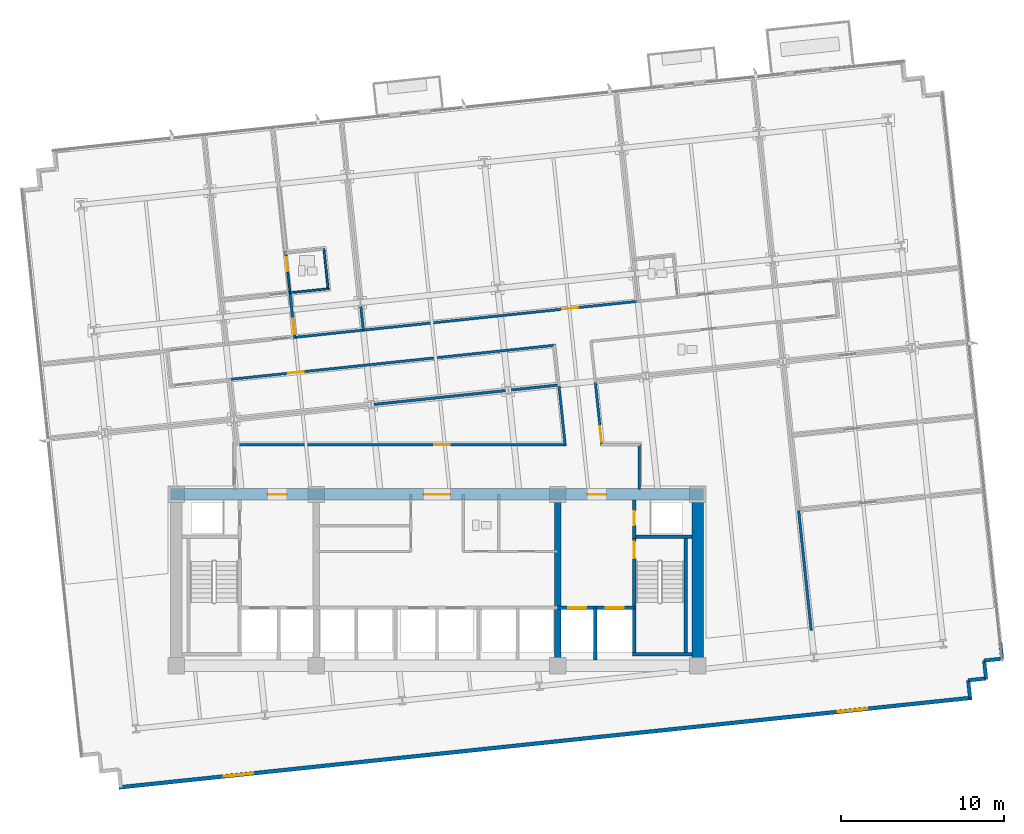
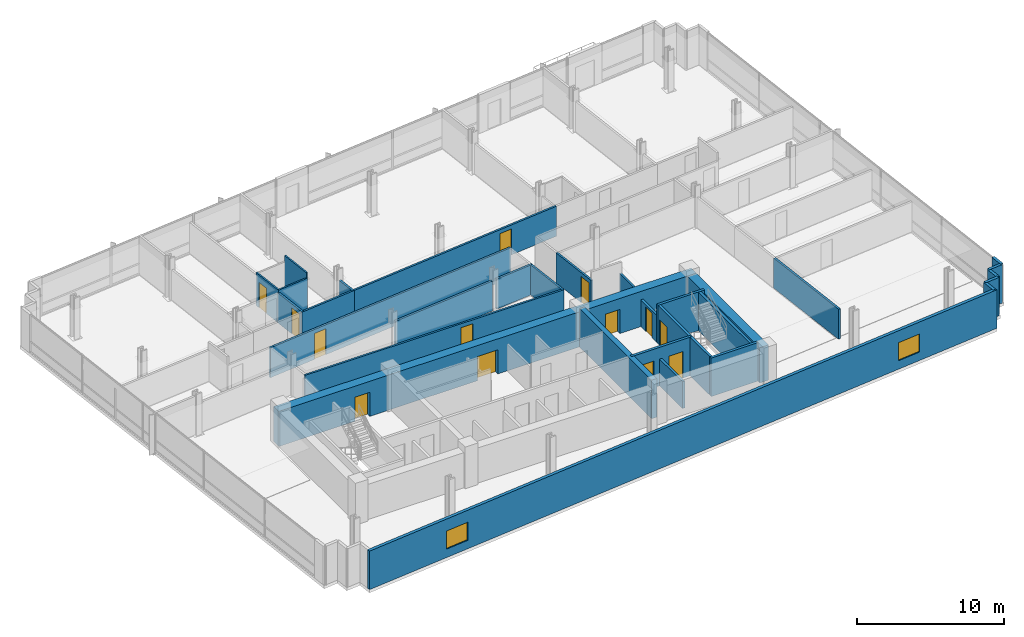
# One storey, part 14 of 21: 31 walls, 13 doors, 2 windows, 15 openings.
"""IFC4 building model written with IfcOpenShell, lengths in metres."""

from ifc_helpers import new_model, si_unit, direction, frame, frame_2d, origin, place, context, subcontext, project, spatial, rectangle, extrude, material, layer, layer_set, type_object, element, fill, save


model = new_model("IFC4")

# Units and contexts
model_context = context("Model", 3, precision=1e-05, world=origin(), true_north=direction((0.0, 1.0)))
body_context = subcontext(model_context, "Body", "Model", "MODEL_VIEW")
ifc_project = project(units=[si_unit("LENGTHUNIT", "METRE"), si_unit("AREAUNIT", "SQUARE_METRE"), si_unit("VOLUMEUNIT", "CUBIC_METRE"), si_unit("PLANEANGLEUNIT", "RADIAN"), si_unit("MASSUNIT", "GRAM", prefix="KILO")], contexts=[model_context])

# Site, building, storey
site_placement = place(None, origin())
site = spatial("IfcSite", under=ifc_project, at=site_placement, CompositionType="ELEMENT")
building_placement = place(site_placement, origin())
building = spatial("IfcBuilding", under=site, at=building_placement, Name="Solmavex Isthmus Hotel", CompositionType="ELEMENT")
storey_placement = place(building_placement, frame((0.0, 0.0, 106.35009765625)))
storey = spatial("IfcBuildingStorey", under=building, at=storey_placement, Name="L28", CompositionType="ELEMENT", Elevation=106.35009765625)

# Wall, openings, windows
ifc_material_1 = material(Name="Precast Concrete C40/50", Category="concrete")
ifc_layer_1 = layer(ifc_material_1, 0.25)
ifc_layer_set_1 = layer_set([ifc_layer_1], Name="Precast Concrete C40/50")
wall_type_1 = type_object("IfcWallType", Name="EW-TWR-250", PredefinedType="STANDARD", material=ifc_layer_set_1)
wall_1_placement = place(storey_placement, frame((-19.504150390625, -20.4716796875, 0.0), z_axis=(0.0, 0.0, 1.0), x_axis=(0.994521743132, 0.104529911687, 0.0)))
wall_1 = element("IfcWall", 1, at=wall_1_placement, inside=storey, type_object=wall_type_1, Name="Tower Rear South Facade Wall L28", PredefinedType="STANDARD", context=body_context, shape_type="SweptSolid", body=[
    extrude(rectangle(XDim=52.60009765625, YDim=0.239990234375, at=frame_2d((26.300048828125, 0.0))), origin(), (0.0, 0.0, 1.0), 3.18994140625),
])
opening_1_placement = place(wall_1_placement, frame((6.464111328125, 0.0, 0.699951171875)))
opening_1 = element("IfcOpeningElement", 2, at=opening_1_placement, cuts=wall_1, Name="Opening WN-02", PredefinedType="OPENING", context=body_context, shape_type="SweptSolid", body=[
    extrude(rectangle(XDim=1.800048828125, YDim=1.5, at=frame_2d((0.89990234375, 0.75))), frame((0.0, 0.1298828125, 0.0), z_axis=(0.0, -1.0, 0.0), x_axis=(1.0, 0.0, 0.0)), (0.0, 0.0, 1.0), 0.260009765625),
])
opening_2_placement = place(wall_1_placement, frame((44.3359375, 0.0, 0.699951171875)))
opening_2 = element("IfcOpeningElement", 3, at=opening_2_placement, cuts=wall_1, Name="Opening WN-02", PredefinedType="OPENING", context=body_context, shape_type="SweptSolid", body=[
    extrude(rectangle(XDim=1.800048828125, YDim=1.5, at=frame_2d((0.89990234375, 0.75))), frame((0.0, 0.1298828125, 0.0), z_axis=(0.0, -1.0, 0.0), x_axis=(1.0, 0.0, 0.0)), (0.0, 0.0, 1.0), 0.260009765625),
])
ifc_material_2 = material(Name="Clear low-E laminated glass", Category="glass")
window_type = type_object("IfcWindowType", Name="WIN-TWR-1800", PartitioningType="SINGLE_PANEL", PredefinedType="WINDOW", material=ifc_material_2)
window_1_placement = place(opening_1_placement, origin())
window_1 = element("IfcWindow", 4, at=window_1_placement, inside=storey, type_object=window_type, Name="South Facade Vision Window L28-S1", OverallHeight=1.5, OverallWidth=1.800048828125, PartitioningType="SINGLE_PANEL", PredefinedType="WINDOW", context=body_context, shape_type="SweptSolid", body=[
    extrude(rectangle(XDim=1.800048828125, YDim=1.5, at=frame_2d((0.89990234375, 0.75))), frame((0.0, 0.030029296875, 0.0), z_axis=(0.0, -1.0, 0.0), x_axis=(1.0, 0.0, 0.0)), (0.0, 0.0, 1.0), 0.06005859375),
])
fill(opening_1, window_1)
window_2_placement = place(opening_2_placement, origin())
window_2 = element("IfcWindow", 5, at=window_2_placement, inside=storey, type_object=window_type, Name="South Facade Vision Window L28-S2", OverallHeight=1.5, OverallWidth=1.800048828125, PartitioningType="SINGLE_PANEL", PredefinedType="WINDOW", context=body_context, shape_type="SweptSolid", body=[
    extrude(rectangle(XDim=1.800048828125, YDim=1.5, at=frame_2d((0.89990234375, 0.75))), frame((0.0, 0.030029296875, 0.0), z_axis=(0.0, -1.0, 0.0), x_axis=(1.0, 0.0, 0.0)), (0.0, 0.0, 1.0), 0.06005859375),
])
fill(opening_2, window_2)

# Walls
wall_2_placement = place(storey_placement, frame((34.553955078125, -11.59228515625, 0.0), z_axis=(0.0, 0.0, 1.0), x_axis=(0.104556418955, -0.99451895671, 0.0)))
element("IfcWall", 6, at=wall_2_placement, inside=storey, type_object=wall_type_1, Name="Serrated Corner Facade Panel L28-21", PredefinedType="STANDARD", context=body_context, shape_type="SweptSolid", body=[
    extrude(rectangle(XDim=0.989990234375, YDim=0.219970703125, at=frame_2d((0.4951171875, 0.0))), origin(), (0.0, 0.0, 1.0), 3.18994140625),
])
for number, where, z_axis, x_axis, name in (
    (7, (34.657470703125, -12.576904296875, 0.0), (0.0, 0.0, 1.0), (-0.994521251134, -0.104534592565, 0.0), "Serrated Corner Facade Panel L28-22"),
    (8, (33.5634765625, -12.69189453125, 0.0), (0.0, 0.0, 1.0), (0.104534592565, -0.994521251134, 0.0), "Serrated Corner Facade Panel L28-23"),
    (9, (33.678466796875, -13.785888671875, 0.0), (0.0, 0.0, 1.0), (-0.994521251134, -0.104534592565, 0.0), "Serrated Corner Facade Panel L28-24"),
    (10, (32.58447265625, -13.90087890625, 0.0), (0.0, 0.0, 1.0), (0.104534592565, -0.994521251134, 0.0), "Serrated Corner Facade Panel L28-25"),
):
    element("IfcWall", number, at=place(storey_placement, frame(where, z_axis=z_axis, x_axis=x_axis)), inside=storey, type_object=wall_type_1, Name=name, PredefinedType="STANDARD", context=body_context, shape_type="SweptSolid", body=[
        extrude(rectangle(XDim=1.10009765625, YDim=0.219970703125, at=frame_2d((0.550048828125, 0.0))), origin(), (0.0, 0.0, 1.0), 3.18994140625),
    ])

# Wall, opening, door
ifc_material_3 = material(Name="Gypsum plasterboard lining", Category="gypsum")
ifc_layer_2 = layer(ifc_material_3, 0.159912109375)
ifc_layer_set_2 = layer_set([ifc_layer_2], Name="Gypsum plasterboard lining")
wall_type_2 = type_object("IfcWallType", Name="IW-COMP-160", PredefinedType="PARTITIONING", material=ifc_layer_set_2)
wall_3_placement = place(storey_placement, frame((-9.021484375, 9.91064453125, 0.0), z_axis=(0.0, 0.0, 1.0), x_axis=(0.104559042439, -0.994518680892, 0.0)))
wall_3 = element("IfcWall", 11, at=wall_3_placement, inside=storey, type_object=wall_type_2, Name="Interior Partition Wall W-L28-P028", PredefinedType="PARTITIONING", context=body_context, shape_type="SweptSolid", body=[
    extrude(rectangle(XDim=2.830078125, YDim=0.159912109375, at=frame_2d((1.4150390625, 0.0))), origin(), (0.0, 0.0, 1.0), 2.4794921875),
])
opening_3_placement = place(wall_3_placement, frame((1.633056640625, 0.0, 0.0)))
opening_3 = element("IfcOpeningElement", 12, at=opening_3_placement, cuts=wall_3, Name="Opening ID-C095", PredefinedType="OPENING", context=body_context, shape_type="SweptSolid", body=[
    extrude(rectangle(XDim=0.949951171875, YDim=2.14990234375, at=frame_2d((0.47509765625, 1.074951171875))), frame((0.0, 0.08984375, 0.0), z_axis=(0.0, -1.0, 0.0), x_axis=(1.0, 0.0, 0.0)), (0.0, 0.0, 1.0), 0.179931640625),
])
ifc_material_4 = material(Name="Hardwood timber", Category="wood")
door_type_1 = type_object("IfcDoorType", Name="IDR-FD60-0950", OperationType="NOTDEFINED", PredefinedType="DOOR", material=ifc_material_4)
door_1_placement = place(opening_3_placement, frame((0.949951171875, 0.0, 0.0), z_axis=(0.0, 0.0, 1.0), x_axis=(-1.0, 0.0, 0.0)))
door_1 = element("IfcDoor", 13, at=door_1_placement, inside=storey, type_object=door_type_1, Name="Premier Suite Living Lounge Door L28-04", OperationType="SINGLE_SWING_RIGHT", OverallHeight=2.14990234375, OverallWidth=0.949951171875, PredefinedType="DOOR", context=body_context, shape_type="SweptSolid", body=[
    extrude(rectangle(XDim=0.949951171875, YDim=2.14990234375, at=frame_2d((0.47509765625, 1.074951171875))), frame((0.0, 0.02490234375, 0.0), z_axis=(0.0, -1.0, 0.0), x_axis=(1.0, 0.0, 0.0)), (0.0, 0.0, 1.0), 0.050048828125),
])
fill(opening_3, door_1)

# Walls
wall_4_placement = place(storey_placement, frame((-4.678955078125, 9.091796875, 0.0), z_axis=(0.0, 0.0, 1.0), x_axis=(0.104424383811, -0.994532829054, 0.0)))
element("IfcWall", 14, at=wall_4_placement, inside=storey, type_object=wall_type_2, Name="Interior Partition Wall W-L28-P036", PredefinedType="PARTITIONING", context=body_context, shape_type="SweptSolid", body=[
    extrude(rectangle(XDim=1.561767578125, YDim=0.159912109375, at=frame_2d((0.78076171875, 0.0))), origin(), (0.0, 0.0, 1.0), 2.4794921875),
])
wall_5_placement = place(storey_placement, frame((4.205322265625, 3.8701171875, 0.0), z_axis=(0.0, 0.0, 1.0), x_axis=(-0.994521598781, -0.104531285071, 0.0)))
element("IfcWall", 15, at=wall_5_placement, inside=storey, type_object=wall_type_2, Name="Interior Partition Wall W-L28-P055", PredefinedType="PARTITIONING", context=body_context, shape_type="SweptSolid", body=[
    extrude(rectangle(XDim=8.11376953125, YDim=0.159912109375, at=frame_2d((4.056884765625, 0.0))), origin(), (0.0, 0.0, 1.0), 2.4794921875),
])
wall_6_placement = place(storey_placement, frame((7.51611328125, 4.218017578125, 0.0), z_axis=(0.0, 0.0, 1.0), x_axis=(-0.994526106058, -0.104488393462, 0.0)))
element("IfcWall", 16, at=wall_6_placement, inside=storey, type_object=wall_type_2, Name="Interior Partition Wall W-L28-P056", PredefinedType="PARTITIONING", context=body_context, shape_type="SweptSolid", body=[
    extrude(rectangle(XDim=2.976806640625, YDim=0.159912109375, at=frame_2d((1.48828125, 0.0))), origin(), (0.0, 0.0, 1.0), 2.4794921875),
])
wall_7_placement = place(storey_placement, frame((22.953857421875, -10.8408203125, 0.0), z_axis=(0.0, 0.0, 1.0), x_axis=(-0.104540370259, 0.994520643821, 0.0)))
element("IfcWall", 17, at=wall_7_placement, inside=storey, type_object=wall_type_2, Name="Interior Partition Wall W-L28-P062", PredefinedType="PARTITIONING", context=body_context, shape_type="SweptSolid", body=[
    extrude(rectangle(XDim=7.480224609375, YDim=0.159912109375, at=frame_2d((3.740234375, 0.0))), origin(), (0.0, 0.0, 1.0), 2.4794921875),
])
ifc_layer_3 = layer(ifc_material_3, 0.14990234375)
ifc_layer_set_3 = layer_set([ifc_layer_3], Name="Gypsum plasterboard lining")
wall_type_3 = type_object("IfcWallType", Name="IW-CORR-150", PredefinedType="PARTITIONING", material=ifc_layer_set_3)
wall_8_placement = place(storey_placement, frame((-8.811279296875, 7.12744140625, 0.0), z_axis=(0.0, 0.0, 1.0), x_axis=(0.994524907824, 0.104499797695, 0.0)))
element("IfcWall", 18, at=wall_8_placement, inside=storey, type_object=wall_type_3, Name="Interior Partition Wall W-L28-P003", PredefinedType="PARTITIONING", context=body_context, shape_type="SweptSolid", body=[
    extrude(rectangle(XDim=4.39697265625, YDim=0.14990234375, at=frame_2d((2.198486328125, 0.0))), origin(), (0.0, 0.0, 1.0), 2.4794921875),
])

# Wall, opening, door
wall_9_placement = place(storey_placement, frame((-4.6015625, 7.56982421875, 0.0), z_axis=(0.0, 0.0, 1.0), x_axis=(0.994522888708, 0.104519011838, 0.0)))
wall_9 = element("IfcWall", 19, at=wall_9_placement, inside=storey, type_object=wall_type_3, Name="Interior Partition Wall W-L28-P004", PredefinedType="PARTITIONING", context=body_context, shape_type="SweptSolid", body=[
    extrude(rectangle(XDim=17.09619140625, YDim=0.14990234375, at=frame_2d((8.548095703125, 0.0))), origin(), (0.0, 0.0, 1.0), 2.4794921875),
])
opening_4_placement = place(wall_9_placement, frame((12.361083984375, 0.0, 0.0)))
opening_4 = element("IfcOpeningElement", 20, at=opening_4_placement, cuts=wall_9, Name="Opening ID-C095", PredefinedType="OPENING", context=body_context, shape_type="SweptSolid", body=[
    extrude(rectangle(XDim=0.949951171875, YDim=2.14990234375, at=frame_2d((0.47509765625, 1.074951171875))), frame((0.0, 0.0849609375, 0.0), z_axis=(0.0, -1.0, 0.0), x_axis=(1.0, 0.0, 0.0)), (0.0, 0.0, 1.0), 0.169921875),
])
door_2_placement = place(opening_4_placement, frame((0.949951171875, 0.0, 0.0), z_axis=(0.0, 0.0, 1.0), x_axis=(-1.0, 0.0, 0.0)))
door_2 = element("IfcDoor", 21, at=door_2_placement, inside=storey, type_object=door_type_1, Name="Corporate Briefing Office Door L28-06", OperationType="SINGLE_SWING_RIGHT", OverallHeight=2.14990234375, OverallWidth=0.949951171875, PredefinedType="DOOR", context=body_context, shape_type="SweptSolid", body=[
    extrude(rectangle(XDim=0.949951171875, YDim=2.14990234375, at=frame_2d((0.47509765625, 1.074951171875))), frame((0.0, 0.02490234375, 0.0), z_axis=(0.0, -1.0, 0.0), x_axis=(1.0, 0.0, 0.0)), (0.0, 0.0, 1.0), 0.050048828125),
])
fill(opening_4, door_2)

wall_10_placement = place(storey_placement, frame((7.260009765625, 6.654541015625, 0.0), z_axis=(0.0, 0.0, 1.0), x_axis=(-0.994522421445, -0.104523457861, 0.0)))
wall_10 = element("IfcWall", 22, at=wall_10_placement, inside=storey, type_object=wall_type_3, Name="Interior Partition Wall W-L28-P015", PredefinedType="PARTITIONING", context=body_context, shape_type="SweptSolid", body=[
    extrude(rectangle(XDim=20.166748046875, YDim=0.14990234375, at=frame_2d((10.08349609375, 0.0))), origin(), (0.0, 0.0, 1.0), 2.4794921875),
])
opening_5_placement = place(wall_10_placement, frame((15.51416015625, 0.0, 0.0)))
opening_5 = element("IfcOpeningElement", 23, at=opening_5_placement, cuts=wall_10, Name="Opening ID-C095", PredefinedType="OPENING", context=body_context, shape_type="SweptSolid", body=[
    extrude(rectangle(XDim=0.949951171875, YDim=2.14990234375, at=frame_2d((0.47509765625, 1.074951171875))), frame((0.0, 0.0849609375, 0.0), z_axis=(0.0, -1.0, 0.0), x_axis=(1.0, 0.0, 0.0)), (0.0, 0.0, 1.0), 0.169921875),
])
door_3_placement = place(opening_5_placement, frame((0.949951171875, 0.0, 0.0), z_axis=(0.0, 0.0, 1.0), x_axis=(-1.0, 0.0, 0.0)))
door_3 = element("IfcDoor", 24, at=door_3_placement, inside=storey, type_object=door_type_1, Name="Garden Servery Kitchen Door L28-13", OperationType="SINGLE_SWING_LEFT", OverallHeight=2.14990234375, OverallWidth=0.949951171875, PredefinedType="DOOR", context=body_context, shape_type="SweptSolid", body=[
    extrude(rectangle(XDim=0.949951171875, YDim=2.14990234375, at=frame_2d((0.47509765625, 1.074951171875))), frame((0.0, 0.02490234375, 0.0), z_axis=(0.0, -1.0, 0.0), x_axis=(1.0, 0.0, 0.0)), (0.0, 0.0, 1.0), 0.050048828125),
])
fill(opening_5, door_3)

wall_11_placement = place(storey_placement, frame((-12.376220703125, 0.550048828125, 0.0), z_axis=(0.0, 0.0, 1.0), x_axis=(1.0, 0.0, 0.0)))
wall_11 = element("IfcWall", 25, at=wall_11_placement, inside=storey, type_object=wall_type_3, Name="Interior Partition Wall W-L28-P016", PredefinedType="PARTITIONING", context=body_context, shape_type="SweptSolid", body=[
    extrude(rectangle(XDim=20.27783203125, YDim=0.14990234375, at=frame_2d((10.138916015625, 0.0))), origin(), (0.0, 0.0, 1.0), 2.4794921875),
])
opening_6_placement = place(wall_11_placement, frame((12.208740234375, 0.0, 0.0)))
opening_6 = element("IfcOpeningElement", 26, at=opening_6_placement, cuts=wall_11, Name="Opening ID-C095", PredefinedType="OPENING", context=body_context, shape_type="SweptSolid", body=[
    extrude(rectangle(XDim=0.949951171875, YDim=2.14990234375, at=frame_2d((0.47509765625, 1.074951171875))), frame((0.0, 0.0849609375, 0.0), z_axis=(0.0, -1.0, 0.0), x_axis=(1.0, 0.0, 0.0)), (0.0, 0.0, 1.0), 0.169921875),
])
door_4_placement = place(opening_6_placement, frame((0.949951171875, 0.0, 0.0), z_axis=(0.0, 0.0, 1.0), x_axis=(-1.0, 0.0, 0.0)))
door_4 = element("IfcDoor", 27, at=door_4_placement, inside=storey, type_object=door_type_1, Name="Vitality Fitness Studio Door L28-16", OperationType="SINGLE_SWING_RIGHT", OverallHeight=2.14990234375, OverallWidth=0.949951171875, PredefinedType="DOOR", context=body_context, shape_type="SweptSolid", body=[
    extrude(rectangle(XDim=0.949951171875, YDim=2.14990234375, at=frame_2d((0.47509765625, 1.074951171875))), frame((0.0, 0.02490234375, 0.0), z_axis=(0.0, -1.0, 0.0), x_axis=(1.0, 0.0, 0.0)), (0.0, 0.0, 1.0), 0.050048828125),
])
fill(opening_6, door_4)

# Wall
wall_12_placement = place(storey_placement, frame((7.86572265625, 0.51025390625, 0.0), z_axis=(0.0, 0.0, 1.0), x_axis=(-0.104557897706, 0.994518801244, 0.0)))
element("IfcWall", 28, at=wall_12_placement, inside=storey, type_object=wall_type_3, Name="Interior Partition Wall W-L28-P017", PredefinedType="PARTITIONING", context=body_context, shape_type="SweptSolid", body=[
    extrude(rectangle(XDim=3.805908203125, YDim=0.14990234375, at=frame_2d((1.90283203125, 0.0))), origin(), (0.0, 0.0, 1.0), 2.4794921875),
])

# Wall, opening, door
wall_13_placement = place(storey_placement, frame((9.695556640625, 4.529541015625, 0.0), z_axis=(0.0, 0.0, 1.0), x_axis=(0.104568433906, -0.994517693473, 0.0)))
wall_13 = element("IfcWall", 29, at=wall_13_placement, inside=storey, type_object=wall_type_3, Name="Interior Partition Wall W-L28-P019", PredefinedType="PARTITIONING", context=body_context, shape_type="SweptSolid", body=[
    extrude(rectangle(XDim=4.04150390625, YDim=0.14990234375, at=frame_2d((2.020751953125, 0.0))), origin(), (0.0, 0.0, 1.0), 2.4794921875),
])
opening_7_placement = place(wall_13_placement, frame((2.876708984375, 0.0, 0.0)))
opening_7 = element("IfcOpeningElement", 30, at=opening_7_placement, cuts=wall_13, Name="Opening ID-C095", PredefinedType="OPENING", context=body_context, shape_type="SweptSolid", body=[
    extrude(rectangle(XDim=0.949951171875, YDim=2.14990234375, at=frame_2d((0.47509765625, 1.074951171875))), frame((0.0, 0.0849609375, 0.0), z_axis=(0.0, -1.0, 0.0), x_axis=(1.0, 0.0, 0.0)), (0.0, 0.0, 1.0), 0.169921875),
])
door_5_placement = place(opening_7_placement, frame((0.949951171875, 0.0, 0.0), z_axis=(0.0, 0.0, 1.0), x_axis=(-1.0, 0.0, 0.0)))
door_5 = element("IfcDoor", 31, at=door_5_placement, inside=storey, type_object=door_type_1, Name="Vitality Fitness Studio Door L28-19", OperationType="SINGLE_SWING_LEFT", OverallHeight=2.14990234375, OverallWidth=0.949951171875, PredefinedType="DOOR", context=body_context, shape_type="SweptSolid", body=[
    extrude(rectangle(XDim=0.949951171875, YDim=2.14990234375, at=frame_2d((0.47509765625, 1.074951171875))), frame((0.0, 0.02490234375, 0.0), z_axis=(0.0, -1.0, 0.0), x_axis=(1.0, 0.0, 0.0)), (0.0, 0.0, 1.0), 0.050048828125),
])
fill(opening_7, door_5)

# Wall
wall_14_placement = place(storey_placement, frame((12.39990234375, 0.590087890625, 0.0), z_axis=(0.0, 0.0, 1.0), x_axis=(0.0, -1.0, 0.0)))
element("IfcWall", 32, at=wall_14_placement, inside=storey, type_object=wall_type_3, Name="Interior Partition Wall W-L28-P021", PredefinedType="PARTITIONING", context=body_context, shape_type="SweptSolid", body=[
    extrude(rectangle(XDim=2.780029296875, YDim=0.14990234375, at=frame_2d((1.39013671875, 0.0))), origin(), (0.0, 0.0, 1.0), 2.224853515625),
])

# Wall, opening, door
ifc_layer_4 = layer(ifc_material_3, 0.1201171875)
ifc_layer_set_4 = layer_set([ifc_layer_4], Name="Gypsum plasterboard lining")
wall_type_4 = type_object("IfcWallType", Name="IW-PART-120", PredefinedType="PARTITIONING", material=ifc_layer_set_4)
wall_15_placement = place(storey_placement, frame((-9.281982421875, 12.388916015625, 0.0), z_axis=(0.0, 0.0, 1.0), x_axis=(0.104605724594, -0.994513771841, 0.0)))
wall_15 = element("IfcWall", 33, at=wall_15_placement, inside=storey, type_object=wall_type_4, Name="Interior Partition Wall W-L28-P030", PredefinedType="PARTITIONING", context=body_context, shape_type="SweptSolid", body=[
    extrude(rectangle(XDim=2.572021484375, YDim=0.1201171875, at=frame_2d((1.2861328125, 0.0))), origin(), (0.0, 0.0, 1.0), 2.718017578125),
])
opening_8_placement = place(wall_15_placement, frame((0.337646484375, 0.0, 0.0)))
opening_8 = element("IfcOpeningElement", 34, at=opening_8_placement, cuts=wall_15, Name="Opening ID-U085", PredefinedType="OPENING", context=body_context, shape_type="SweptSolid", body=[
    extrude(rectangle(XDim=0.85009765625, YDim=2.10009765625, at=frame_2d((0.425048828125, 1.050048828125))), frame((0.0, 0.070068359375, 0.0), z_axis=(0.0, -1.0, 0.0), x_axis=(1.0, 0.0, 0.0)), (0.0, 0.0, 1.0), 0.14013671875),
])
door_type_2 = type_object("IfcDoorType", Name="IDR-UNR-0850", OperationType="NOTDEFINED", PredefinedType="DOOR", material=ifc_material_4)
door_6_placement = place(opening_8_placement, frame((0.85009765625, 0.0, 0.0), z_axis=(0.0, 0.0, 1.0), x_axis=(-1.0, 0.0, 0.0)))
door_6 = element("IfcDoor", 35, at=door_6_placement, inside=storey, type_object=door_type_2, Name="En-suite Bathroom Door L28-05", OperationType="SINGLE_SWING_LEFT", OverallHeight=2.10009765625, OverallWidth=0.85009765625, PredefinedType="DOOR", context=body_context, shape_type="SweptSolid", body=[
    extrude(rectangle(XDim=0.85009765625, YDim=2.10009765625, at=frame_2d((0.425048828125, 1.050048828125))), frame((0.0, 0.02490234375, 0.0), z_axis=(0.0, -1.0, 0.0), x_axis=(1.0, 0.0, 0.0)), (0.0, 0.0, 1.0), 0.050048828125),
])
fill(opening_8, door_6)

# Walls
wall_16_placement = place(storey_placement, frame((-9.05712890625, 9.86669921875, 0.0), z_axis=(0.0, 0.0, 1.0), x_axis=(0.994526352295, 0.104486049741, 0.0)))
element("IfcWall", 36, at=wall_16_placement, inside=storey, type_object=wall_type_4, Name="Interior Partition Wall W-L28-P031", PredefinedType="PARTITIONING", context=body_context, shape_type="SweptSolid", body=[
    extrude(rectangle(XDim=2.429931640625, YDim=0.1201171875, at=frame_2d((1.21484375, 0.0))), origin(), (0.0, 0.0, 1.0), 2.718017578125),
])
wall_17_placement = place(storey_placement, frame((-6.676025390625, 10.07666015625, 0.0), z_axis=(0.0, 0.0, 1.0), x_axis=(-0.104508968707, 0.994523944136, 0.0)))
element("IfcWall", 37, at=wall_17_placement, inside=storey, type_object=wall_type_4, Name="Interior Partition Wall W-L28-P032", PredefinedType="PARTITIONING", context=body_context, shape_type="SweptSolid", body=[
    extrude(rectangle(XDim=2.530029296875, YDim=0.1201171875, at=frame_2d((1.26513671875, 0.0))), origin(), (0.0, 0.0, 1.0), 3.18994140625),
])

# Wall, opening, door
ifc_material_5 = material(Name="Concrete C40/50", Category="concrete")
ifc_layer_5 = layer(ifc_material_5, 0.199951171875)
ifc_layer_set_5 = layer_set([ifc_layer_5], Name="Concrete C40/50")
wall_type_5 = type_object("IfcWallType", Name="IW-SHAFT-200", PredefinedType="PARTITIONING", material=ifc_layer_set_5)
wall_18_placement = place(storey_placement, frame((12.10009765625, -5.199951171875, 0.0), z_axis=(0.0, 0.0, 1.0), x_axis=(0.0, 1.0, 0.0)))
wall_18 = element("IfcWall", 38, at=wall_18_placement, inside=storey, type_object=wall_type_5, Name="Interior Partition Wall W-L28-RSE-W", PredefinedType="PARTITIONING", context=body_context, shape_type="SweptSolid", body=[
    extrude(rectangle(XDim=2.349853515625, YDim=0.199951171875, at=frame_2d((1.1748046875, 0.0))), origin(), (0.0, 0.0, 1.0), 2.224853515625),
])
opening_9_placement = place(wall_18_placement, frame((0.824951171875, 0.0, 0.0)))
opening_9 = element("IfcOpeningElement", 39, at=opening_9_placement, cuts=wall_18, Name="Opening ID-R085", PredefinedType="OPENING", context=body_context, shape_type="SweptSolid", body=[
    extrude(rectangle(XDim=0.85009765625, YDim=2.050048828125, at=frame_2d((0.425048828125, 1.02490234375))), frame((0.0, 0.10986328125, 0.0), z_axis=(0.0, -1.0, 0.0), x_axis=(1.0, 0.0, 0.0)), (0.0, 0.0, 1.0), 0.219970703125),
])
ifc_material_6 = material(Name="Steel ASTM A500 Grade C", Category="steel")
door_type_3 = type_object("IfcDoorType", Name="IDR-FD60-0850", OperationType="NOTDEFINED", PredefinedType="DOOR", material=ifc_material_6)
door_7_placement = place(opening_9_placement, frame((0.85009765625, 0.0, 0.0), z_axis=(0.0, 0.0, 1.0), x_axis=(-1.0, 0.0, 0.0)))
door_7 = element("IfcDoor", 40, at=door_7_placement, inside=storey, type_object=door_type_3, Name="Mechanical Riser Door L28", OperationType="SINGLE_SWING_LEFT", OverallHeight=2.050048828125, OverallWidth=0.85009765625, PredefinedType="DOOR", context=body_context, shape_type="SweptSolid", body=[
    extrude(rectangle(XDim=0.85009765625, YDim=2.050048828125, at=frame_2d((0.425048828125, 1.02490234375))), frame((0.0, 0.02490234375, 0.0), z_axis=(0.0, -1.0, 0.0), x_axis=(1.0, 0.0, 0.0)), (0.0, 0.0, 1.0), 0.050048828125),
])
fill(opening_9, door_7)

# Wall, openings, doors
wall_19_placement = place(storey_placement, frame((7.39990234375, -9.449951171875, 0.0), z_axis=(0.0, 0.0, 1.0), x_axis=(1.0, 0.0, 0.0)))
wall_19 = element("IfcWall", 41, at=wall_19_placement, inside=storey, type_object=wall_type_5, Name="Interior Partition Wall W-L28-FFLE-S", PredefinedType="PARTITIONING", context=body_context, shape_type="SweptSolid", body=[
    extrude(rectangle(XDim=4.7001953125, YDim=0.199951171875, at=frame_2d((2.35009765625, 0.0))), origin(), (0.0, 0.0, 1.0), 3.18994140625),
])
opening_10_placement = place(wall_19_placement, frame((2.949951171875, 0.0, 0.0)))
opening_10 = element("IfcOpeningElement", 42, at=opening_10_placement, cuts=wall_19, Name="Opening LD-FF", PredefinedType="OPENING", context=body_context, shape_type="SweptSolid", body=[
    extrude(rectangle(XDim=1.10009765625, YDim=2.199951171875, at=frame_2d((0.550048828125, 1.10009765625))), frame((0.0, 0.10986328125, 0.0), z_axis=(0.0, -1.0, 0.0), x_axis=(1.0, 0.0, 0.0)), (0.0, 0.0, 1.0), 0.219970703125),
])
opening_11_placement = place(wall_19_placement, frame((0.64990234375, 0.0, 0.0)))
opening_11 = element("IfcOpeningElement", 43, at=opening_11_placement, cuts=wall_19, Name="Opening LD-SV", PredefinedType="OPENING", context=body_context, shape_type="SweptSolid", body=[
    extrude(rectangle(XDim=1.10009765625, YDim=2.199951171875, at=frame_2d((0.550048828125, 1.10009765625))), frame((0.0, 0.10986328125, 0.0), z_axis=(0.0, -1.0, 0.0), x_axis=(1.0, 0.0, 0.0)), (0.0, 0.0, 1.0), 0.219970703125),
])
ifc_material_7 = material(Name="Stainless steel 316", Category="steel")
door_type_4 = type_object("IfcDoorType", Name="LDR-FF-1100", OperationType="NOTDEFINED", PredefinedType="DOOR", material=ifc_material_7)
door_8_placement = place(opening_10_placement, origin())
door_8 = element("IfcDoor", 44, at=door_8_placement, inside=storey, type_object=door_type_4, Name="Lift Landing Door FFL-2 L28", OperationType="SLIDING_TO_LEFT", OverallHeight=2.199951171875, OverallWidth=1.10009765625, PredefinedType="DOOR", context=body_context, shape_type="SweptSolid", body=[
    extrude(rectangle(XDim=1.10009765625, YDim=2.199951171875, at=frame_2d((0.550048828125, 1.10009765625))), frame((0.0, 0.02490234375, 0.0), z_axis=(0.0, -1.0, 0.0), x_axis=(1.0, 0.0, 0.0)), (0.0, 0.0, 1.0), 0.050048828125),
])
fill(opening_10, door_8)
door_type_5 = type_object("IfcDoorType", Name="LDR-SV-1100", OperationType="NOTDEFINED", PredefinedType="DOOR", material=ifc_material_7)
door_9_placement = place(opening_11_placement, origin())
door_9 = element("IfcDoor", 45, at=door_9_placement, inside=storey, type_object=door_type_5, Name="Lift Landing Door SVL-2 L28", OperationType="SLIDING_TO_RIGHT", OverallHeight=2.199951171875, OverallWidth=1.10009765625, PredefinedType="DOOR", context=body_context, shape_type="SweptSolid", body=[
    extrude(rectangle(XDim=1.10009765625, YDim=2.199951171875, at=frame_2d((0.550048828125, 1.10009765625))), frame((0.0, 0.02490234375, 0.0), z_axis=(0.0, -1.0, 0.0), x_axis=(1.0, 0.0, 0.0)), (0.0, 0.0, 1.0), 0.050048828125),
])
fill(opening_11, door_9)

# Walls
wall_20_placement = place(storey_placement, frame((9.699951171875, -12.64990234375, 0.0), z_axis=(0.0, 0.0, 1.0), x_axis=(0.0, 1.0, 0.0)))
element("IfcWall", 46, at=wall_20_placement, inside=storey, type_object=wall_type_5, Name="Interior Partition Wall W-L28-FFLE-M", PredefinedType="PARTITIONING", context=body_context, shape_type="SweptSolid", body=[
    extrude(rectangle(XDim=3.199951171875, YDim=0.199951171875, at=frame_2d((1.60009765625, 0.0))), origin(), (0.0, 0.0, 1.0), 2.224853515625),
])
ifc_material_8 = material(Name="Concrete C60/75", Category="concrete")
ifc_layer_6 = layer(ifc_material_8, 0.39990234375)
ifc_layer_set_6 = layer_set([ifc_layer_6], Name="Concrete C60/75")
wall_type_6 = type_object("IfcWallType", Name="WALL-CW-400M", PredefinedType="SHEAR", material=ifc_layer_set_6)
wall_21_placement = place(storey_placement, frame((7.39990234375, -12.64990234375, 0.0), z_axis=(0.0, 0.0, 1.0), x_axis=(0.0, 1.0, 0.0)))
element("IfcWall", 47, at=wall_21_placement, inside=storey, type_object=wall_type_6, Name="Core Cross Shear Wall C2 L28", PredefinedType="SHEAR", context=body_context, shape_type="SweptSolid", body=[
    extrude(rectangle(XDim=9.7998046875, YDim=0.39990234375, at=frame_2d((4.89990234375, 0.0))), origin(), (0.0, 0.0, 1.0), 3.18994140625),
])

# Wall, openings, doors
ifc_layer_7 = layer(ifc_material_8, 0.699951171875)
ifc_layer_set_7 = layer_set([ifc_layer_7], Name="Concrete C60/75")
wall_type_7 = type_object("IfcWallType", Name="WALL-CW-700", PredefinedType="SHEAR", material=ifc_layer_set_7)
wall_22_placement = place(storey_placement, frame((-16.35009765625, -2.5, 0.0), z_axis=(0.0, 0.0, 1.0), x_axis=(1.0, 0.0, 0.0)))
wall_22 = element("IfcWall", 48, at=wall_22_placement, inside=storey, type_object=wall_type_7, Name="Core Shear Wall North L28", PredefinedType="SHEAR", context=body_context, shape_type="SweptSolid", body=[
    extrude(rectangle(XDim=32.7001953125, YDim=0.699951171875, at=frame_2d((16.35009765625, 0.0))), origin(), (0.0, 0.0, 1.0), 2.909912109375),
])
opening_12_placement = place(wall_22_placement, frame((5.97509765625, 0.0, 0.0)))
opening_12 = element("IfcOpeningElement", 49, at=opening_12_placement, cuts=wall_22, Name="Opening ID-F915", PredefinedType="OPENING", context=body_context, shape_type="SweptSolid", body=[
    extrude(rectangle(XDim=1.14990234375, YDim=2.0, at=frame_2d((0.574951171875, 1.0))), frame((0.0, 0.35986328125, 0.0), z_axis=(0.0, -1.0, 0.0), x_axis=(1.0, 0.0, 0.0)), (0.0, 0.0, 1.0), 0.719970703125),
])
opening_13_placement = place(wall_22_placement, frame((15.550048828125, 0.0, 0.0)))
opening_13 = element("IfcOpeningElement", 50, at=opening_13_placement, cuts=wall_22, Name="Opening ID-F960", PredefinedType="OPENING", context=body_context, shape_type="SweptSolid", body=[
    extrude(rectangle(XDim=1.60009765625, YDim=2.0, at=frame_2d((0.800048828125, 1.0))), frame((0.0, 0.35986328125, 0.0), z_axis=(0.0, -1.0, 0.0), x_axis=(1.0, 0.0, 0.0)), (0.0, 0.0, 1.0), 0.719970703125),
])
opening_14_placement = place(wall_22_placement, frame((25.574951171875, 0.0, 0.0)))
opening_14 = element("IfcOpeningElement", 51, at=opening_14_placement, cuts=wall_22, Name="Opening ID-F915", PredefinedType="OPENING", context=body_context, shape_type="SweptSolid", body=[
    extrude(rectangle(XDim=1.14990234375, YDim=2.0, at=frame_2d((0.574951171875, 1.0))), frame((0.0, 0.35986328125, 0.0), z_axis=(0.0, -1.0, 0.0), x_axis=(1.0, 0.0, 0.0)), (0.0, 0.0, 1.0), 0.719970703125),
])
door_type_6 = type_object("IfcDoorType", Name="IDR-FD90-1150C", OperationType="NOTDEFINED", PredefinedType="DOOR", material=ifc_material_6)
door_10_placement = place(opening_12_placement, origin())
door_10 = element("IfcDoor", 52, at=door_10_placement, inside=storey, type_object=door_type_6, Name="Firefighting Lobby West Exit Door L28", OperationType="SINGLE_SWING_LEFT", OverallHeight=2.0, OverallWidth=1.14990234375, PredefinedType="DOOR", context=body_context, shape_type="SweptSolid", body=[
    extrude(rectangle(XDim=1.14990234375, YDim=2.0, at=frame_2d((0.574951171875, 1.0))), frame((0.0, 0.02490234375, 0.0), z_axis=(0.0, -1.0, 0.0), x_axis=(1.0, 0.0, 0.0)), (0.0, 0.0, 1.0), 0.050048828125),
])
fill(opening_12, door_10)
door_11_placement = place(opening_14_placement, origin())
door_11 = element("IfcDoor", 53, at=door_11_placement, inside=storey, type_object=door_type_6, Name="Firefighting Lobby East Exit Door L28", OperationType="SINGLE_SWING_RIGHT", OverallHeight=2.0, OverallWidth=1.14990234375, PredefinedType="DOOR", context=body_context, shape_type="SweptSolid", body=[
    extrude(rectangle(XDim=1.14990234375, YDim=2.0, at=frame_2d((0.574951171875, 1.0))), frame((0.0, 0.02490234375, 0.0), z_axis=(0.0, -1.0, 0.0), x_axis=(1.0, 0.0, 0.0)), (0.0, 0.0, 1.0), 0.050048828125),
])
fill(opening_14, door_11)
door_type_7 = type_object("IfcDoorType", Name="IDR-FD90-1600C", OperationType="NOTDEFINED", PredefinedType="DOOR", material=ifc_material_6)
door_12_placement = place(opening_13_placement, origin())
door_12 = element("IfcDoor", 54, at=door_12_placement, inside=storey, type_object=door_type_7, Name="Central Lift Lobby Door L28", OperationType="DOUBLE_DOOR_SINGLE_SWING", OverallHeight=2.0, OverallWidth=1.60009765625, PredefinedType="DOOR", context=body_context, shape_type="SweptSolid", body=[
    extrude(rectangle(XDim=1.60009765625, YDim=2.0, at=frame_2d((0.800048828125, 1.0))), frame((0.0, 0.02490234375, 0.0), z_axis=(0.0, -1.0, 0.0), x_axis=(1.0, 0.0, 0.0)), (0.0, 0.0, 1.0), 0.050048828125),
])
fill(opening_13, door_12)

# Walls
wall_23_placement = place(storey_placement, frame((16.0, -12.64990234375, 0.0), z_axis=(0.0, 0.0, 1.0), x_axis=(0.0, 1.0, 0.0)))
element("IfcWall", 55, at=wall_23_placement, inside=storey, type_object=wall_type_7, Name="Core Shear Wall East L28", PredefinedType="SHEAR", context=body_context, shape_type="SweptSolid", body=[
    extrude(rectangle(XDim=9.7998046875, YDim=0.699951171875, at=frame_2d((4.89990234375, 0.0))), origin(), (0.0, 0.0, 1.0), 2.909912109375),
])
ifc_layer_8 = layer(ifc_material_5, 0.199951171875)
ifc_layer_set_8 = layer_set([ifc_layer_8], Name="Concrete C40/50")
wall_type_8 = type_object("IfcWallType", Name="WALL-SW-200", PredefinedType="SOLIDWALL", material=ifc_layer_set_8)
for number, where, z_axis, x_axis, name in (
    (56, (12.0, -12.300048828125, 0.0), (0.0, 0.0, 1.0), (1.0, 0.0, 0.0), "Stairwell Structural Wall SW-L28-ST2-S"),
    (57, (12.0, -5.10009765625, 0.0), (0.0, 0.0, 1.0), (1.0, 0.0, 0.0), "Stairwell Structural Wall SW-L28-ST2-N"),
):
    element("IfcWall", number, at=place(storey_placement, frame(where, z_axis=z_axis, x_axis=x_axis)), inside=storey, type_object=wall_type_8, Name=name, PredefinedType="SOLIDWALL", context=body_context, shape_type="SweptSolid", body=[
        extrude(rectangle(XDim=3.64990234375, YDim=0.199951171875, at=frame_2d((1.824951171875, 0.0))), origin(), (0.0, 0.0, 1.0), 3.18994140625),
    ])

# Wall, opening, door
wall_24_placement = place(storey_placement, frame((12.10009765625, -12.199951171875, 0.0), z_axis=(0.0, 0.0, 1.0), x_axis=(0.0, 1.0, 0.0)))
wall_24 = element("IfcWall", 58, at=wall_24_placement, inside=storey, type_object=wall_type_8, Name="Stairwell Structural Wall SW-L28-ST2-W", PredefinedType="SOLIDWALL", context=body_context, shape_type="SweptSolid", body=[
    extrude(rectangle(XDim=7.0, YDim=0.199951171875, at=frame_2d((3.5, 0.0))), origin(), (0.0, 0.0, 1.0), 3.18994140625),
])
opening_15_placement = place(wall_24_placement, frame((5.800048828125, 0.0, 0.0)))
opening_15 = element("IfcOpeningElement", 59, at=opening_15_placement, cuts=wall_24, Name="Opening ID-F100", PredefinedType="OPENING", context=body_context, shape_type="SweptSolid", body=[
    extrude(rectangle(XDim=1.0, YDim=2.10009765625, at=frame_2d((0.5, 1.050048828125))), frame((0.0, 0.10986328125, 0.0), z_axis=(0.0, -1.0, 0.0), x_axis=(1.0, 0.0, 0.0)), (0.0, 0.0, 1.0), 0.219970703125),
])
door_type_8 = type_object("IfcDoorType", Name="IDR-FD90-1000", OperationType="NOTDEFINED", PredefinedType="DOOR", material=ifc_material_6)
door_13_placement = place(opening_15_placement, origin())
door_13 = element("IfcDoor", 60, at=door_13_placement, inside=storey, type_object=door_type_8, Name="Stair ST-2 Fire Door L28", OperationType="SINGLE_SWING_RIGHT", OverallHeight=2.10009765625, OverallWidth=1.0, PredefinedType="DOOR", context=body_context, shape_type="SweptSolid", body=[
    extrude(rectangle(XDim=1.0, YDim=2.10009765625, at=frame_2d((0.5, 1.050048828125))), frame((0.0, 0.02490234375, 0.0), z_axis=(0.0, -1.0, 0.0), x_axis=(1.0, 0.0, 0.0)), (0.0, 0.0, 1.0), 0.050048828125),
])
fill(opening_15, door_13)

# Wall
wall_25_placement = place(storey_placement, frame((15.25, -12.199951171875, 0.0), z_axis=(0.0, 0.0, 1.0), x_axis=(0.0, 1.0, 0.0)))
element("IfcWall", 61, at=wall_25_placement, inside=storey, type_object=wall_type_8, Name="Stairwell Structural Wall SW-L28-ST2-E", PredefinedType="SOLIDWALL", context=body_context, shape_type="SweptSolid", body=[
    extrude(rectangle(XDim=7.0, YDim=0.199951171875, at=frame_2d((3.5, 0.0))), origin(), (0.0, 0.0, 1.0), 3.18994140625),
])

save(model, "model.ifc")
